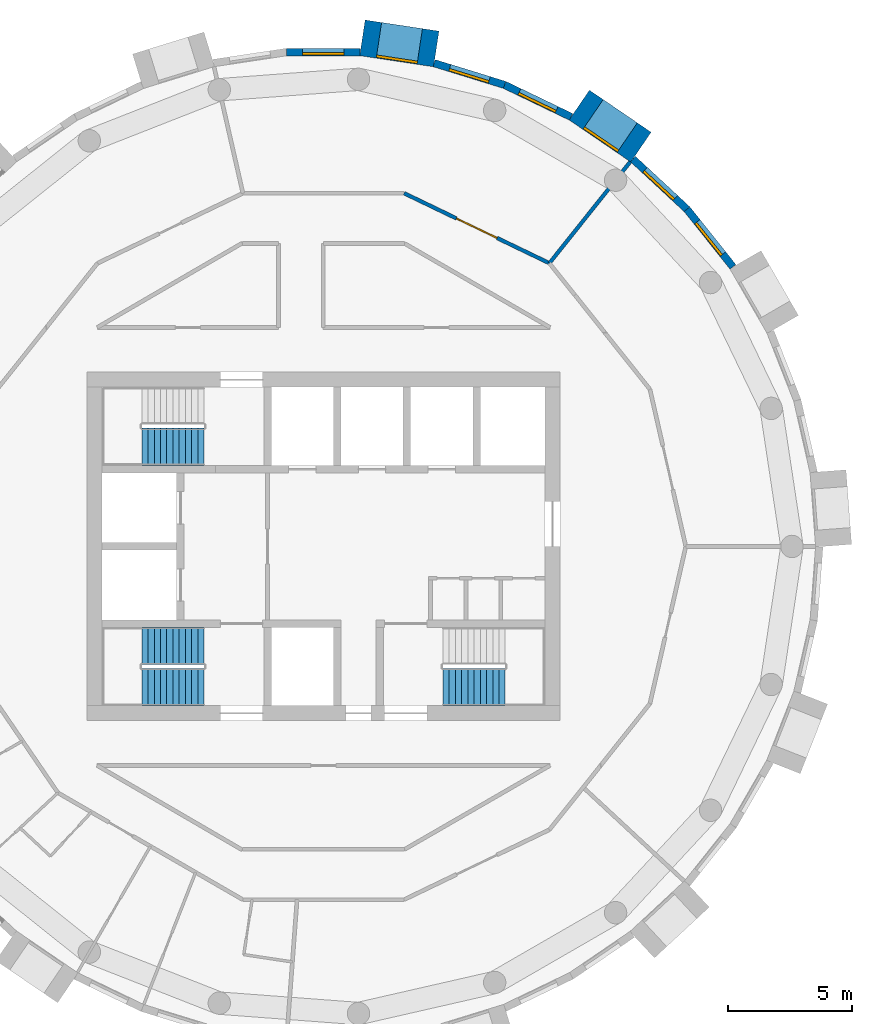
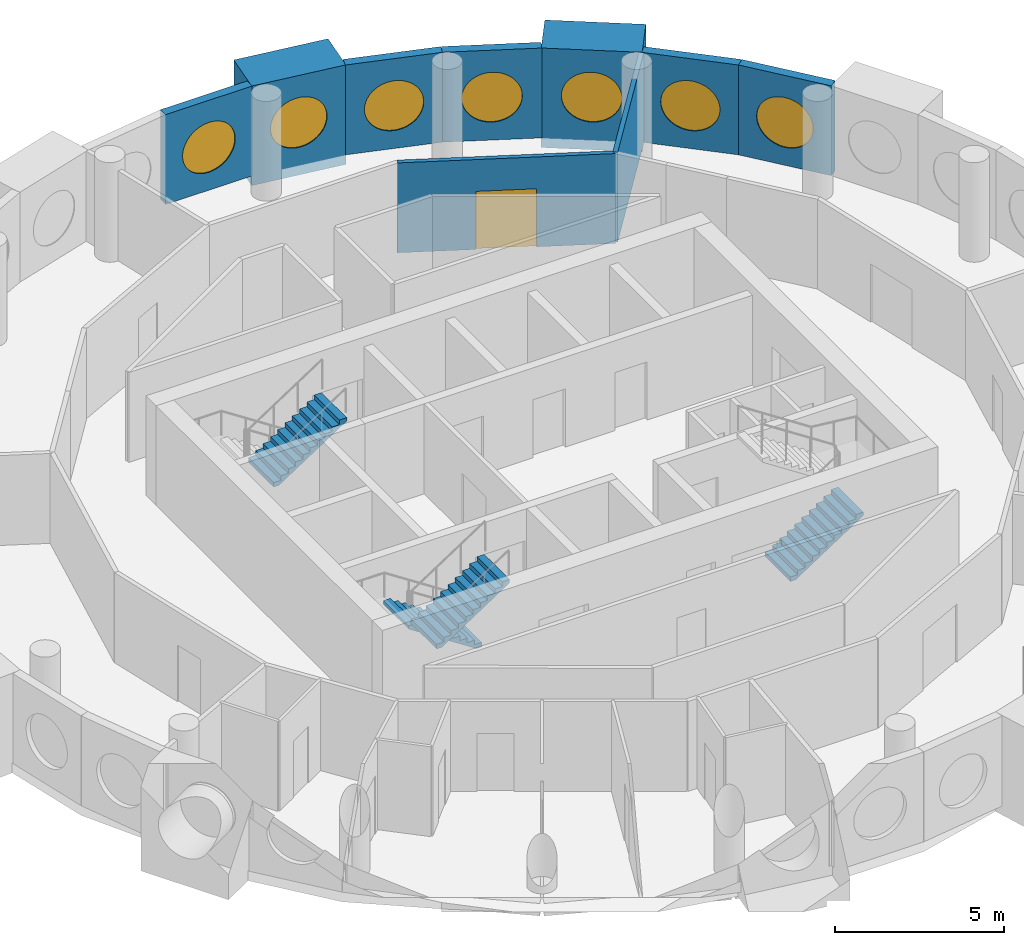
# One storey, part 10 of 12: 9 walls, 7 windows, 4 stair flights, 1 door, 8 openings, 3 elements without a shape of their own.
"""IFC4 building model written with IfcOpenShell, lengths in metres."""

from ifc_helpers import new_model, si_unit, direction, frame, frame_2d, origin, origin_2d, place, context, subcontext, project, spatial, polyline, rectangle, circle, outline, extrude, material, layer, layer_set, type_object, element, fill, aggregate, save


model = new_model("IFC4")

# Units and contexts
model_context = context("Model", 3, precision=1e-05, world=origin(), true_north=direction((0.0, 1.0)))
body_context = subcontext(model_context, "Body", "Model", "MODEL_VIEW")
ifc_project = project(units=[si_unit("LENGTHUNIT", "METRE"), si_unit("AREAUNIT", "SQUARE_METRE"), si_unit("VOLUMEUNIT", "CUBIC_METRE"), si_unit("PLANEANGLEUNIT", "RADIAN"), si_unit("MASSUNIT", "GRAM", prefix="KILO")], contexts=[model_context])

# Site, building, storey
site_placement = place(None, origin())
site = spatial("IfcSite", under=ifc_project, at=site_placement, CompositionType="ELEMENT")
building_placement = place(site_placement, origin())
building = spatial("IfcBuilding", under=site, at=building_placement, Name="Tracery Tower", CompositionType="ELEMENT")
storey_placement = place(building_placement, frame((0.0, 0.0, 323.39990234375)))
storey = spatial("IfcBuildingStorey", under=building, at=storey_placement, Name="L84", CompositionType="ELEMENT", Elevation=323.39990234375)

# Wall, opening, window
ifc_material_1 = material(Name="Precast concrete C50/60", Category="concrete")
ifc_layer_1 = layer(ifc_material_1, 1.449951171875)
ifc_layer_set_1 = layer_set([ifc_layer_1], Name="Deep-set bay unit 3000 x 3600, slab edge 350")
wall_type_1 = type_object("IfcWallType", Name="Deep-set bay unit 3000 x 3600, slab edge 350", PredefinedType="ELEMENTEDWALL", material=ifc_layer_set_1)
wall_1_placement = place(storey_placement, frame((12.754150390625, 16.044189453125, -0.349853515625), z_axis=(0.0, 0.0, 1.0), x_axis=(-0.826246281157, 0.563309047392, 0.0)))
wall_1 = element("IfcWall", 1, at=wall_1_placement, inside=storey, type_object=wall_type_1, Name="Deep-set bay unit 7 at L84", PredefinedType="ELEMENTEDWALL", context=body_context, shape_type="SweptSolid", body=[
    extrude(rectangle(XDim=3.0, YDim=1.449951171875, at=frame_2d((1.5, 0.0))), origin(), (0.0, 0.0, 1.0), 3.599853515625),
])
opening_1_placement = place(wall_1_placement, frame((1.5, 0.0, 1.89990234375)))
opening_1 = element("IfcOpeningElement", 2, at=opening_1_placement, cuts=wall_1, Name="Opening WN1", PredefinedType="OPENING", context=body_context, shape_type="SweptSolid", body=[
    extrude(circle(Radius=0.9000244140625, at=origin_2d()), frame((0.0, 0.73486328125, 0.0), z_axis=(0.0, -1.0, 0.0), x_axis=(1.0, 0.0, 0.0)), (0.0, 0.0, 1.0), 1.469970703125),
])
ifc_material_2 = material(Name="Aluminium frame with tinted double glazing", Category="aluminium")
window_type = type_object("IfcWindowType", Name="Round window 1800", PartitioningType="SINGLE_PANEL", PredefinedType="WINDOW", material=ifc_material_2)
window_1_placement = place(opening_1_placement, origin())
window_1 = element("IfcWindow", 3, at=window_1_placement, inside=storey, type_object=window_type, Name="Round window 7 at L84", OverallHeight=1.800048828125, OverallWidth=1.800048828125, PartitioningType="SINGLE_PANEL", PredefinedType="WINDOW", context=body_context, shape_type="SweptSolid", body=[
    extrude(circle(Radius=0.9000244140625, at=origin_2d()), frame((0.0, 0.69482421875, 0.0), z_axis=(0.0, -1.0, 0.0), x_axis=(1.0, 0.0, 0.0)), (0.0, 0.0, 1.0), 0.10009765625),
])
fill(opening_1, window_1)

wall_2_placement = place(storey_placement, frame((4.52978515625, 19.9892578125, -0.349853515625), z_axis=(0.0, 0.0, 1.0), x_axis=(-0.988836445254, 0.149004981587, 0.0)))
wall_2 = element("IfcWall", 4, at=wall_2_placement, inside=storey, type_object=wall_type_1, Name="Deep-set bay unit 10 at L84", PredefinedType="ELEMENTEDWALL", context=body_context, shape_type="SweptSolid", body=[
    extrude(rectangle(XDim=3.0, YDim=1.449951171875, at=frame_2d((1.5, 0.0))), origin(), (0.0, 0.0, 1.0), 3.599853515625),
])
opening_2_placement = place(wall_2_placement, frame((1.5, 0.0, 1.89990234375)))
opening_2 = element("IfcOpeningElement", 5, at=opening_2_placement, cuts=wall_2, Name="Opening WN1", PredefinedType="OPENING", context=body_context, shape_type="SweptSolid", body=[
    extrude(circle(Radius=0.9000244140625, at=origin_2d()), frame((0.0, 0.73486328125, 0.0), z_axis=(0.0, -1.0, 0.0), x_axis=(1.0, 0.0, 0.0)), (0.0, 0.0, 1.0), 1.469970703125),
])
window_2_placement = place(opening_2_placement, origin())
window_2 = element("IfcWindow", 6, at=window_2_placement, inside=storey, type_object=window_type, Name="Round window 10 at L84", OverallHeight=1.800048828125, OverallWidth=1.800048828125, PartitioningType="SINGLE_PANEL", PredefinedType="WINDOW", context=body_context, shape_type="SweptSolid", body=[
    extrude(circle(Radius=0.9000244140625, at=origin_2d()), frame((0.0, 0.69482421875, 0.0), z_axis=(0.0, -1.0, 0.0), x_axis=(1.0, 0.0, 0.0)), (0.0, 0.0, 1.0), 0.10009765625),
])
fill(opening_2, window_2)

ifc_material_3 = material(Name="Precast concrete C50/60", Category="concrete")
ifc_layer_2 = layer(ifc_material_3, 0.300048828125)
ifc_layer_set_2 = layer_set([ifc_layer_2], Name="Facade panel 3000 x 3250")
wall_type_2 = type_object("IfcWallType", Name="Facade panel 3000 x 3250", PredefinedType="SOLIDWALL", material=ifc_layer_set_2)
wall_3_placement = place(storey_placement, frame((16.45068359375, 11.234375, 0.0), z_axis=(0.0, 0.0, 1.0), x_axis=(-0.623498236992, 0.781824755599, 0.0)))
wall_3 = element("IfcWall", 7, at=wall_3_placement, inside=storey, type_object=wall_type_2, Name="Facade panel 5 at L84", PredefinedType="SOLIDWALL", context=body_context, shape_type="SweptSolid", body=[
    extrude(rectangle(XDim=2.962158203125, YDim=0.300048828125, at=frame_2d((1.48095703125, 0.0))), origin(), (0.0, 0.0, 1.0), 3.25),
])
opening_3_placement = place(wall_3_placement, frame((1.48095703125, 0.0, 1.5498046875)))
opening_3 = element("IfcOpeningElement", 8, at=opening_3_placement, cuts=wall_3, Name="Opening WN1", PredefinedType="OPENING", context=body_context, shape_type="SweptSolid", body=[
    extrude(circle(Radius=0.9000244140625, at=origin_2d()), frame((0.0, 0.159912109375, 0.0), z_axis=(0.0, -1.0, 0.0), x_axis=(1.0, 0.0, 0.0)), (0.0, 0.0, 1.0), 0.320068359375),
])
window_3_placement = place(opening_3_placement, origin())
window_3 = element("IfcWindow", 9, at=window_3_placement, inside=storey, type_object=window_type, Name="Round window 5 at L84", OverallHeight=1.800048828125, OverallWidth=1.800048828125, PartitioningType="SINGLE_PANEL", PredefinedType="WINDOW", context=body_context, shape_type="SweptSolid", body=[
    extrude(circle(Radius=0.9000244140625, at=origin_2d()), frame((0.0, 0.1201171875, 0.0), z_axis=(0.0, -1.0, 0.0), x_axis=(1.0, 0.0, 0.0)), (0.0, 0.0, 1.0), 0.10009765625),
])
fill(opening_3, window_3)

wall_4_placement = place(storey_placement, frame((14.603759765625, 13.55029296875, 0.0), z_axis=(0.0, 0.0, 1.0), x_axis=(-0.733066412643, 0.680157066165, 0.0)))
wall_4 = element("IfcWall", 10, at=wall_4_placement, inside=storey, type_object=wall_type_2, Name="Facade panel 6 at L84", PredefinedType="SOLIDWALL", context=body_context, shape_type="SweptSolid", body=[
    extrude(rectangle(XDim=2.96240234375, YDim=0.300048828125, at=frame_2d((1.481201171875, 0.0))), origin(), (0.0, 0.0, 1.0), 3.25),
])
opening_4_placement = place(wall_4_placement, frame((1.48095703125, 0.0, 1.5498046875)))
opening_4 = element("IfcOpeningElement", 11, at=opening_4_placement, cuts=wall_4, Name="Opening WN1", PredefinedType="OPENING", context=body_context, shape_type="SweptSolid", body=[
    extrude(circle(Radius=0.9000244140625, at=origin_2d()), frame((0.0, 0.159912109375, 0.0), z_axis=(0.0, -1.0, 0.0), x_axis=(1.0, 0.0, 0.0)), (0.0, 0.0, 1.0), 0.320068359375),
])
window_4_placement = place(opening_4_placement, origin())
window_4 = element("IfcWindow", 12, at=window_4_placement, inside=storey, type_object=window_type, Name="Round window 6 at L84", OverallHeight=1.800048828125, OverallWidth=1.800048828125, PartitioningType="SINGLE_PANEL", PredefinedType="WINDOW", context=body_context, shape_type="SweptSolid", body=[
    extrude(circle(Radius=0.9000244140625, at=origin_2d()), frame((0.0, 0.1201171875, 0.0), z_axis=(0.0, -1.0, 0.0), x_axis=(1.0, 0.0, 0.0)), (0.0, 0.0, 1.0), 0.10009765625),
])
fill(opening_4, window_4)

wall_5_placement = place(storey_placement, frame((9.947021484375, 17.25927734375, 0.0), z_axis=(0.0, 0.0, 1.0), x_axis=(-0.900939615635, 0.433944476838, 0.0)))
wall_5 = element("IfcWall", 13, at=wall_5_placement, inside=storey, type_object=wall_type_2, Name="Facade panel 8 at L84", PredefinedType="SOLIDWALL", context=body_context, shape_type="SweptSolid", body=[
    extrude(rectangle(XDim=2.962158203125, YDim=0.300048828125, at=frame_2d((1.48095703125, 0.0))), origin(), (0.0, 0.0, 1.0), 3.25),
])
opening_5_placement = place(wall_5_placement, frame((1.48095703125, 0.0, 1.5498046875)))
opening_5 = element("IfcOpeningElement", 14, at=opening_5_placement, cuts=wall_5, Name="Opening WN1", PredefinedType="OPENING", context=body_context, shape_type="SweptSolid", body=[
    extrude(circle(Radius=0.9000244140625, at=origin_2d()), frame((0.0, 0.159912109375, 0.0), z_axis=(0.0, -1.0, 0.0), x_axis=(1.0, 0.0, 0.0)), (0.0, 0.0, 1.0), 0.320068359375),
])
window_5_placement = place(opening_5_placement, origin())
window_5 = element("IfcWindow", 15, at=window_5_placement, inside=storey, type_object=window_type, Name="Round window 8 at L84", OverallHeight=1.800048828125, OverallWidth=1.800048828125, PartitioningType="SINGLE_PANEL", PredefinedType="WINDOW", context=body_context, shape_type="SweptSolid", body=[
    extrude(circle(Radius=0.9000244140625, at=origin_2d()), frame((0.0, 0.1201171875, 0.0), z_axis=(0.0, -1.0, 0.0), x_axis=(1.0, 0.0, 0.0)), (0.0, 0.0, 1.0), 0.10009765625),
])
fill(opening_5, window_5)

wall_6_placement = place(storey_placement, frame((7.2783203125, 18.544677734375, 0.0), z_axis=(0.0, 0.0, 1.0), x_axis=(-0.95558635705, 0.294711238707, 0.0)))
wall_6 = element("IfcWall", 16, at=wall_6_placement, inside=storey, type_object=wall_type_2, Name="Facade panel 9 at L84", PredefinedType="SOLIDWALL", context=body_context, shape_type="SweptSolid", body=[
    extrude(rectangle(XDim=2.96240234375, YDim=0.300048828125, at=frame_2d((1.481201171875, 0.0))), origin(), (0.0, 0.0, 1.0), 3.25),
])
opening_6_placement = place(wall_6_placement, frame((1.48095703125, 0.0, 1.5498046875)))
opening_6 = element("IfcOpeningElement", 17, at=opening_6_placement, cuts=wall_6, Name="Opening WN1", PredefinedType="OPENING", context=body_context, shape_type="SweptSolid", body=[
    extrude(circle(Radius=0.9000244140625, at=origin_2d()), frame((0.0, 0.159912109375, 0.0), z_axis=(0.0, -1.0, 0.0), x_axis=(1.0, 0.0, 0.0)), (0.0, 0.0, 1.0), 0.320068359375),
])
window_6_placement = place(opening_6_placement, origin())
window_6 = element("IfcWindow", 18, at=window_6_placement, inside=storey, type_object=window_type, Name="Round window 9 at L84", OverallHeight=1.800048828125, OverallWidth=1.800048828125, PartitioningType="SINGLE_PANEL", PredefinedType="WINDOW", context=body_context, shape_type="SweptSolid", body=[
    extrude(circle(Radius=0.9000244140625, at=origin_2d()), frame((0.0, 0.1201171875, 0.0), z_axis=(0.0, -1.0, 0.0), x_axis=(1.0, 0.0, 0.0)), (0.0, 0.0, 1.0), 0.10009765625),
])
fill(opening_6, window_6)

wall_7_placement = place(storey_placement, frame((1.473388671875, 19.865966796875, 0.0), z_axis=(0.0, 0.0, 1.0), x_axis=(-1.0, 0.0, 0.0)))
wall_7 = element("IfcWall", 19, at=wall_7_placement, inside=storey, type_object=wall_type_2, Name="Facade panel 11 at L84", PredefinedType="SOLIDWALL", context=body_context, shape_type="SweptSolid", body=[
    extrude(rectangle(XDim=2.962158203125, YDim=0.300048828125, at=frame_2d((1.48095703125, 0.0))), origin(), (0.0, 0.0, 1.0), 3.25),
])
opening_7_placement = place(wall_7_placement, frame((1.48095703125, 0.0, 1.5498046875)))
opening_7 = element("IfcOpeningElement", 20, at=opening_7_placement, cuts=wall_7, Name="Opening WN1", PredefinedType="OPENING", context=body_context, shape_type="SweptSolid", body=[
    extrude(circle(Radius=0.9000244140625, at=origin_2d()), frame((0.0, 0.159912109375, 0.0), z_axis=(0.0, -1.0, 0.0), x_axis=(1.0, 0.0, 0.0)), (0.0, 0.0, 1.0), 0.320068359375),
])
window_7_placement = place(opening_7_placement, origin())
window_7 = element("IfcWindow", 21, at=window_7_placement, inside=storey, type_object=window_type, Name="Round window 11 at L84", OverallHeight=1.800048828125, OverallWidth=1.800048828125, PartitioningType="SINGLE_PANEL", PredefinedType="WINDOW", context=body_context, shape_type="SweptSolid", body=[
    extrude(circle(Radius=0.9000244140625, at=origin_2d()), frame((0.0, 0.1201171875, 0.0), z_axis=(0.0, -1.0, 0.0), x_axis=(1.0, 0.0, 0.0)), (0.0, 0.0, 1.0), 0.10009765625),
])
fill(opening_7, window_7)

# Wall
ifc_material_4 = material(Name="Plasterboard on steel studs", Category="steel")
ifc_layer_3 = layer(ifc_material_4, 0.14990234375)
ifc_layer_set_3 = layer_set([ifc_layer_3], Name="Partition 150 acoustic unit wall")
wall_type_3 = type_object("IfcWallType", Name="Partition 150 acoustic unit wall", PredefinedType="PARTITIONING", material=ifc_layer_set_3)
wall_8_placement = place(storey_placement, frame((9.075927734375, 11.381103515625, 0.0), z_axis=(0.0, 0.0, 1.0), x_axis=(0.623460949534, 0.781854490558, 0.0)))
element("IfcWall", 22, at=wall_8_placement, inside=storey, type_object=wall_type_3, Name="Unit wall RC10-039", PredefinedType="PARTITIONING", context=body_context, shape_type="SweptSolid", body=[
    extrude(rectangle(XDim=5.21435546875, YDim=0.14990234375, at=frame_2d((2.607177734375, 0.0))), origin(), (0.0, 0.0, 1.0), 3.25),
])

# Wall, opening, door
ifc_material_5 = material(Name="Plasterboard on steel studs", Category="steel")
ifc_layer_4 = layer(ifc_material_5, 0.14990234375)
ifc_layer_set_4 = layer_set([ifc_layer_4], Name="Partition 150 corridor wall")
wall_type_4 = type_object("IfcWallType", Name="Partition 150 corridor wall", PredefinedType="PARTITIONING", material=ifc_layer_set_4)
wall_9_placement = place(storey_placement, frame((3.239013671875, 14.19189453125, 0.0), z_axis=(0.0, 0.0, 1.0), x_axis=(0.900976027191, -0.433868872388, 0.0)))
wall_9 = element("IfcWall", 23, at=wall_9_placement, inside=storey, type_object=wall_type_4, Name="Corridor wall RC10-027", PredefinedType="PARTITIONING", context=body_context, shape_type="SweptSolid", body=[
    extrude(rectangle(XDim=6.478515625, YDim=0.14990234375, at=frame_2d((3.2392578125, 0.0))), origin(), (0.0, 0.0, 1.0), 3.25),
])
opening_8_placement = place(wall_9_placement, frame((2.339111328125, 0.0, 0.0)))
opening_8 = element("IfcOpeningElement", 24, at=opening_8_placement, cuts=wall_9, Name="Opening RC10-05", PredefinedType="OPENING", context=body_context, shape_type="SweptSolid", body=[
    extrude(rectangle(XDim=1.800048828125, YDim=2.10009765625, at=frame_2d((0.89990234375, 1.050048828125))), frame((0.0, 0.074951171875, 0.0), z_axis=(0.0, -1.0, 0.0), x_axis=(1.0, 0.0, 0.0)), (0.0, 0.0, 1.0), 0.14990234375),
])
ifc_material_6 = material(Name="Timber door leaf", Category="wood")
door_type = type_object("IfcDoorType", Name="Door double lounge 1800", OperationType="NOTDEFINED", PredefinedType="DOOR", material=ifc_material_6)
door_placement = place(opening_8_placement, origin())
door = element("IfcDoor", 25, at=door_placement, inside=storey, type_object=door_type, Name="Double lounge door RC10-05", OperationType="DOUBLE_DOOR_SINGLE_SWING", OverallHeight=2.10009765625, OverallWidth=1.800048828125, PredefinedType="DOOR", context=body_context, shape_type="SweptSolid", body=[
    extrude(rectangle(XDim=1.800048828125, YDim=2.10009765625, at=frame_2d((0.89990234375, 1.050048828125))), frame((0.0, 0.02490234375, 0.0), z_axis=(0.0, -1.0, 0.0), x_axis=(1.0, 0.0, 0.0)), (0.0, 0.0, 1.0), 0.050048828125),
])
fill(opening_8, door)

# Stair, stair flights
ifc_material_7 = material(Name="Concrete C32/40", Category="concrete")
stair_type = type_object("IfcStairType", Name="Core stair 22 risers", PredefinedType="HALF_TURN_STAIR", material=ifc_material_7)
stair_1_placement = place(storey_placement, origin())
stair_1 = element("IfcStair", 26, at=stair_1_placement, inside=storey, type_object=stair_type, Name="L84 stair ST1", PredefinedType="HALF_TURN_STAIR")
ifc_material_8 = material(Name="Concrete C32/40", Category="concrete")
stair_flight_type = type_object("IfcStairFlightType", Name="Core stair flight 11 risers", PredefinedType="STRAIGHT", material=ifc_material_8)
stair_flight_1_placement = place(storey_placement, frame((-4.800048828125, -4.0, 0.0), z_axis=(0.0, 0.0, 1.0), x_axis=(-1.0, 0.0, 0.0)))
stair_flight_1 = element("IfcStairFlight", 27, at=stair_flight_1_placement, type_object=stair_flight_type, Name="ST1 flight 1", NumberOfRisers=11, NumberOfTreads=10, PredefinedType="STRAIGHT", RiserHeight=0.163636364, TreadLength=0.25, context=body_context, shape_type="SweptSolid", body=[
    extrude(outline(polyline([(0.0, 0.0), (0.0, 0.002685546875), (0.0, 0.00537109375), (0.0, 0.008056640625), (0.0, 0.0107421875), (0.0, 0.013427734375), (0.0, 0.01611328125), (0.0, 0.018798828125), (0.0, 0.021484375), (0.0, 0.024169921875), (0.0, 0.02685546875), (0.0, 0.029541015625), (0.0, 0.0322265625), (0.0, 0.034912109375), (0.0, 0.03759765625), (0.0, 0.040283203125), (0.0, 0.04296875), (0.0, 0.045654296875), (0.0, 0.04833984375), (0.0, 0.051025390625), (0.0, 0.0537109375), (0.0, 0.056396484375), (0.0, 0.05908203125), (0.0, 0.061767578125), (0.0, 0.064453125), (0.0, 0.067138671875), (0.0, 0.06982421875), (0.0, 0.072509765625), (0.0, 0.0751953125), (0.0, 0.077880859375), (0.0, 0.08056640625), (0.0, 0.083251953125), (0.0, 0.0859375), (0.0, 0.088623046875), (0.0, 0.09130859375), (0.0, 0.093994140625), (0.0, 0.0966796875), (0.0, 0.099365234375), (0.0, 0.10205078125), (0.0, 0.104736328125), (0.0, 0.107421875), (0.0, 0.10986328125), (0.0, 0.112548828125), (0.0, 0.115234375), (0.0, 0.117919921875), (0.0, 0.12060546875), (0.0, 0.123291015625), (0.0, 0.1259765625), (0.0, 0.128662109375), (0.0, 0.13134765625), (0.0, 0.134033203125), (0.0, 0.13671875), (0.0, 0.139404296875), (0.0, 0.14208984375), (0.0, 0.144775390625), (0.0, 0.1474609375), (0.0, 0.150146484375), (0.0, 0.15283203125), (0.0, 0.155517578125), (0.0, 0.158203125), (0.0, 0.160888671875), (0.0, 0.16357421875), (0.25, 0.16357421875), (0.25, 0.327392578125), (0.5, 0.327392578125), (0.5, 0.490966796875), (0.75, 0.490966796875), (0.75, 0.654541015625), (1.0, 0.654541015625), (1.0, 0.818115234375), (1.25, 0.818115234375), (1.25, 0.98193359375), (1.5, 0.98193359375), (1.5, 1.1455078125), (1.75, 1.1455078125), (1.75, 1.30908203125), (2.0, 1.30908203125), (2.0, 1.47265625), (2.25, 1.47265625), (2.25, 1.636474609375), (2.5, 1.636474609375), (2.5, 1.634521484375), (2.5, 1.63232421875), (2.5, 1.63037109375), (2.5, 1.62841796875), (2.5, 1.62646484375), (2.5, 1.62451171875), (2.5, 1.62255859375), (2.5, 1.62060546875), (2.5, 1.61865234375), (2.5, 1.61669921875), (2.5, 1.61474609375), (2.5, 1.61279296875), (2.5, 1.61083984375), (2.5, 1.60888671875), (2.5, 1.60693359375), (2.5, 1.60498046875), (2.5, 1.60302734375), (2.5, 1.60107421875), (2.5, 1.59912109375), (2.5, 1.59716796875), (2.5, 1.59521484375), (2.5, 1.59326171875), (2.5, 1.59130859375), (2.5, 1.58935546875), (2.5, 1.58740234375), (2.5, 1.58544921875), (2.5, 1.58349609375), (2.5, 1.58154296875), (2.5, 1.57958984375), (2.5, 1.57763671875), (2.5, 1.57568359375), (2.5, 1.573486328125), (2.5, 1.571533203125), (2.5, 1.569580078125), (2.5, 1.567626953125), (2.5, 1.565673828125), (2.5, 1.563720703125), (2.5, 1.561767578125), (2.5, 1.559814453125), (2.5, 1.557861328125), (2.5, 1.555908203125), (2.5, 1.553955078125), (2.5, 1.552001953125), (2.5, 1.550048828125), (2.5, 1.548095703125), (2.5, 1.546142578125), (2.5, 1.544189453125), (2.5, 1.542236328125), (2.5, 1.540283203125), (2.5, 1.538330078125), (2.5, 1.536376953125), (2.5, 1.534423828125), (2.5, 1.532470703125), (2.5, 1.530517578125), (2.5, 1.528564453125), (2.5, 1.526611328125), (2.5, 1.524658203125), (2.5, 1.522705078125), (2.5, 1.520751953125), (2.5, 1.518798828125), (2.5, 1.516845703125), (0.182861328125, 0.0), (0.0, 0.0)])), frame((0.0, 0.75, 0.0), z_axis=(0.0, -1.0, 0.0), x_axis=(1.0, 0.0, 0.0)), (0.0, 0.0, 1.0), 1.5),
])
stair_flight_2_placement = place(storey_placement, frame((-7.300048828125, -5.64990234375, 1.800048828125), z_axis=(0.0, 0.0, 1.0), x_axis=(1.0, 0.0, 0.0)))
stair_flight_2 = element("IfcStairFlight", 28, at=stair_flight_2_placement, type_object=stair_flight_type, Name="ST1 flight 2", NumberOfRisers=11, NumberOfTreads=10, PredefinedType="STRAIGHT", RiserHeight=0.163636364, TreadLength=0.25, context=body_context, shape_type="SweptSolid", body=[
    extrude(outline(polyline([(0.0, 0.0), (0.0, 0.002685546875), (0.0, 0.00537109375), (0.0, 0.008056640625), (0.0, 0.0107421875), (0.0, 0.013427734375), (0.0, 0.01611328125), (0.0, 0.018798828125), (0.0, 0.021484375), (0.0, 0.024169921875), (0.0, 0.02685546875), (0.0, 0.029541015625), (0.0, 0.0322265625), (0.0, 0.034912109375), (0.0, 0.03759765625), (0.0, 0.040283203125), (0.0, 0.04296875), (0.0, 0.045654296875), (0.0, 0.04833984375), (0.0, 0.051025390625), (0.0, 0.0537109375), (0.0, 0.056396484375), (0.0, 0.05908203125), (0.0, 0.061767578125), (0.0, 0.064453125), (0.0, 0.067138671875), (0.0, 0.06982421875), (0.0, 0.072509765625), (0.0, 0.0751953125), (0.0, 0.077880859375), (0.0, 0.08056640625), (0.0, 0.083251953125), (0.0, 0.0859375), (0.0, 0.088623046875), (0.0, 0.09130859375), (0.0, 0.093994140625), (0.0, 0.0966796875), (0.0, 0.099365234375), (0.0, 0.10205078125), (0.0, 0.104736328125), (0.0, 0.107421875), (0.0, 0.10986328125), (0.0, 0.112548828125), (0.0, 0.115234375), (0.0, 0.117919921875), (0.0, 0.12060546875), (0.0, 0.123291015625), (0.0, 0.1259765625), (0.0, 0.128662109375), (0.0, 0.13134765625), (0.0, 0.134033203125), (0.0, 0.13671875), (0.0, 0.139404296875), (0.0, 0.14208984375), (0.0, 0.144775390625), (0.0, 0.1474609375), (0.0, 0.150146484375), (0.0, 0.15283203125), (0.0, 0.155517578125), (0.0, 0.158203125), (0.0, 0.160888671875), (0.0, 0.16357421875), (0.25, 0.16357421875), (0.25, 0.327392578125), (0.5, 0.327392578125), (0.5, 0.490966796875), (0.75, 0.490966796875), (0.75, 0.654541015625), (1.0, 0.654541015625), (1.0, 0.818115234375), (1.25, 0.818115234375), (1.25, 0.98193359375), (1.5, 0.98193359375), (1.5, 1.1455078125), (1.75, 1.1455078125), (1.75, 1.30908203125), (2.0, 1.30908203125), (2.0, 1.47265625), (2.25, 1.47265625), (2.25, 1.636474609375), (2.5, 1.636474609375), (2.5, 1.634521484375), (2.5, 1.63232421875), (2.5, 1.63037109375), (2.5, 1.62841796875), (2.5, 1.62646484375), (2.5, 1.62451171875), (2.5, 1.62255859375), (2.5, 1.62060546875), (2.5, 1.61865234375), (2.5, 1.61669921875), (2.5, 1.61474609375), (2.5, 1.61279296875), (2.5, 1.61083984375), (2.5, 1.60888671875), (2.5, 1.60693359375), (2.5, 1.60498046875), (2.5, 1.60302734375), (2.5, 1.60107421875), (2.5, 1.59912109375), (2.5, 1.59716796875), (2.5, 1.59521484375), (2.5, 1.59326171875), (2.5, 1.59130859375), (2.5, 1.58935546875), (2.5, 1.58740234375), (2.5, 1.58544921875), (2.5, 1.58349609375), (2.5, 1.58154296875), (2.5, 1.57958984375), (2.5, 1.57763671875), (2.5, 1.57568359375), (2.5, 1.573486328125), (2.5, 1.571533203125), (2.5, 1.569580078125), (2.5, 1.567626953125), (2.5, 1.565673828125), (2.5, 1.563720703125), (2.5, 1.561767578125), (2.5, 1.559814453125), (2.5, 1.557861328125), (2.5, 1.555908203125), (2.5, 1.553955078125), (2.5, 1.552001953125), (2.5, 1.550048828125), (2.5, 1.548095703125), (2.5, 1.546142578125), (2.5, 1.544189453125), (2.5, 1.542236328125), (2.5, 1.540283203125), (2.5, 1.538330078125), (2.5, 1.536376953125), (2.5, 1.534423828125), (2.5, 1.532470703125), (2.5, 1.530517578125), (2.5, 1.528564453125), (2.5, 1.526611328125), (2.5, 1.524658203125), (2.5, 1.522705078125), (2.5, 1.520751953125), (2.5, 1.518798828125), (2.5, 1.516845703125), (0.182861328125, 0.0), (0.0, 0.0)])), frame((0.0, 0.75, 0.0), z_axis=(0.0, -1.0, 0.0), x_axis=(1.0, 0.0, 0.0)), (0.0, 0.0, 1.0), 1.5),
])
aggregate(stair_1, [stair_flight_1, stair_flight_2])

# Stair, stair flight
stair_2_placement = place(storey_placement, origin())
stair_2 = element("IfcStair", 29, at=stair_2_placement, inside=storey, type_object=stair_type, Name="L84 stair ST3", PredefinedType="HALF_TURN_STAIR")
stair_flight_3_placement = place(storey_placement, frame((-7.300048828125, 4.0, 1.800048828125), z_axis=(0.0, 0.0, 1.0), x_axis=(1.0, 0.0, 0.0)))
stair_flight_3 = element("IfcStairFlight", 30, at=stair_flight_3_placement, type_object=stair_flight_type, Name="ST3 flight 2", NumberOfRisers=11, NumberOfTreads=10, PredefinedType="STRAIGHT", RiserHeight=0.163636364, TreadLength=0.25, context=body_context, shape_type="SweptSolid", body=[
    extrude(outline(polyline([(0.0, 0.0), (0.0, 0.002685546875), (0.0, 0.00537109375), (0.0, 0.008056640625), (0.0, 0.0107421875), (0.0, 0.013427734375), (0.0, 0.01611328125), (0.0, 0.018798828125), (0.0, 0.021484375), (0.0, 0.024169921875), (0.0, 0.02685546875), (0.0, 0.029541015625), (0.0, 0.0322265625), (0.0, 0.034912109375), (0.0, 0.03759765625), (0.0, 0.040283203125), (0.0, 0.04296875), (0.0, 0.045654296875), (0.0, 0.04833984375), (0.0, 0.051025390625), (0.0, 0.0537109375), (0.0, 0.056396484375), (0.0, 0.05908203125), (0.0, 0.061767578125), (0.0, 0.064453125), (0.0, 0.067138671875), (0.0, 0.06982421875), (0.0, 0.072509765625), (0.0, 0.0751953125), (0.0, 0.077880859375), (0.0, 0.08056640625), (0.0, 0.083251953125), (0.0, 0.0859375), (0.0, 0.088623046875), (0.0, 0.09130859375), (0.0, 0.093994140625), (0.0, 0.0966796875), (0.0, 0.099365234375), (0.0, 0.10205078125), (0.0, 0.104736328125), (0.0, 0.107421875), (0.0, 0.10986328125), (0.0, 0.112548828125), (0.0, 0.115234375), (0.0, 0.117919921875), (0.0, 0.12060546875), (0.0, 0.123291015625), (0.0, 0.1259765625), (0.0, 0.128662109375), (0.0, 0.13134765625), (0.0, 0.134033203125), (0.0, 0.13671875), (0.0, 0.139404296875), (0.0, 0.14208984375), (0.0, 0.144775390625), (0.0, 0.1474609375), (0.0, 0.150146484375), (0.0, 0.15283203125), (0.0, 0.155517578125), (0.0, 0.158203125), (0.0, 0.160888671875), (0.0, 0.16357421875), (0.25, 0.16357421875), (0.25, 0.327392578125), (0.5, 0.327392578125), (0.5, 0.490966796875), (0.75, 0.490966796875), (0.75, 0.654541015625), (1.0, 0.654541015625), (1.0, 0.818115234375), (1.25, 0.818115234375), (1.25, 0.98193359375), (1.5, 0.98193359375), (1.5, 1.1455078125), (1.75, 1.1455078125), (1.75, 1.30908203125), (2.0, 1.30908203125), (2.0, 1.47265625), (2.25, 1.47265625), (2.25, 1.636474609375), (2.5, 1.636474609375), (2.5, 1.634521484375), (2.5, 1.63232421875), (2.5, 1.63037109375), (2.5, 1.62841796875), (2.5, 1.62646484375), (2.5, 1.62451171875), (2.5, 1.62255859375), (2.5, 1.62060546875), (2.5, 1.61865234375), (2.5, 1.61669921875), (2.5, 1.61474609375), (2.5, 1.61279296875), (2.5, 1.61083984375), (2.5, 1.60888671875), (2.5, 1.60693359375), (2.5, 1.60498046875), (2.5, 1.60302734375), (2.5, 1.60107421875), (2.5, 1.59912109375), (2.5, 1.59716796875), (2.5, 1.59521484375), (2.5, 1.59326171875), (2.5, 1.59130859375), (2.5, 1.58935546875), (2.5, 1.58740234375), (2.5, 1.58544921875), (2.5, 1.58349609375), (2.5, 1.58154296875), (2.5, 1.57958984375), (2.5, 1.57763671875), (2.5, 1.57568359375), (2.5, 1.573486328125), (2.5, 1.571533203125), (2.5, 1.569580078125), (2.5, 1.567626953125), (2.5, 1.565673828125), (2.5, 1.563720703125), (2.5, 1.561767578125), (2.5, 1.559814453125), (2.5, 1.557861328125), (2.5, 1.555908203125), (2.5, 1.553955078125), (2.5, 1.552001953125), (2.5, 1.550048828125), (2.5, 1.548095703125), (2.5, 1.546142578125), (2.5, 1.544189453125), (2.5, 1.542236328125), (2.5, 1.540283203125), (2.5, 1.538330078125), (2.5, 1.536376953125), (2.5, 1.534423828125), (2.5, 1.532470703125), (2.5, 1.530517578125), (2.5, 1.528564453125), (2.5, 1.526611328125), (2.5, 1.524658203125), (2.5, 1.522705078125), (2.5, 1.520751953125), (2.5, 1.518798828125), (2.5, 1.516845703125), (0.182861328125, 0.0), (0.0, 0.0)])), frame((0.0, 0.75, 0.0), z_axis=(0.0, -1.0, 0.0), x_axis=(1.0, 0.0, 0.0)), (0.0, 0.0, 1.0), 1.5),
])
aggregate(stair_2, [stair_flight_3])

stair_3_placement = place(storey_placement, origin())
stair_3 = element("IfcStair", 31, at=stair_3_placement, inside=storey, type_object=stair_type, Name="L84 stair ST2", PredefinedType="HALF_TURN_STAIR")
stair_flight_4_placement = place(storey_placement, frame((4.800048828125, -5.64990234375, 0.0), z_axis=(0.0, 0.0, 1.0), x_axis=(1.0, 0.0, 0.0)))
stair_flight_4 = element("IfcStairFlight", 32, at=stair_flight_4_placement, type_object=stair_flight_type, Name="ST2 flight 1", NumberOfRisers=11, NumberOfTreads=10, PredefinedType="STRAIGHT", RiserHeight=0.163636364, TreadLength=0.25, context=body_context, shape_type="SweptSolid", body=[
    extrude(outline(polyline([(0.0, 0.0), (0.0, 0.002685546875), (0.0, 0.00537109375), (0.0, 0.008056640625), (0.0, 0.0107421875), (0.0, 0.013427734375), (0.0, 0.01611328125), (0.0, 0.018798828125), (0.0, 0.021484375), (0.0, 0.024169921875), (0.0, 0.02685546875), (0.0, 0.029541015625), (0.0, 0.0322265625), (0.0, 0.034912109375), (0.0, 0.03759765625), (0.0, 0.040283203125), (0.0, 0.04296875), (0.0, 0.045654296875), (0.0, 0.04833984375), (0.0, 0.051025390625), (0.0, 0.0537109375), (0.0, 0.056396484375), (0.0, 0.05908203125), (0.0, 0.061767578125), (0.0, 0.064453125), (0.0, 0.067138671875), (0.0, 0.06982421875), (0.0, 0.072509765625), (0.0, 0.0751953125), (0.0, 0.077880859375), (0.0, 0.08056640625), (0.0, 0.083251953125), (0.0, 0.0859375), (0.0, 0.088623046875), (0.0, 0.09130859375), (0.0, 0.093994140625), (0.0, 0.0966796875), (0.0, 0.099365234375), (0.0, 0.10205078125), (0.0, 0.104736328125), (0.0, 0.107421875), (0.0, 0.10986328125), (0.0, 0.112548828125), (0.0, 0.115234375), (0.0, 0.117919921875), (0.0, 0.12060546875), (0.0, 0.123291015625), (0.0, 0.1259765625), (0.0, 0.128662109375), (0.0, 0.13134765625), (0.0, 0.134033203125), (0.0, 0.13671875), (0.0, 0.139404296875), (0.0, 0.14208984375), (0.0, 0.144775390625), (0.0, 0.1474609375), (0.0, 0.150146484375), (0.0, 0.15283203125), (0.0, 0.155517578125), (0.0, 0.158203125), (0.0, 0.160888671875), (0.0, 0.16357421875), (0.25, 0.16357421875), (0.25, 0.327392578125), (0.5, 0.327392578125), (0.5, 0.490966796875), (0.75, 0.490966796875), (0.75, 0.654541015625), (1.0, 0.654541015625), (1.0, 0.818115234375), (1.25, 0.818115234375), (1.25, 0.98193359375), (1.5, 0.98193359375), (1.5, 1.1455078125), (1.75, 1.1455078125), (1.75, 1.30908203125), (2.0, 1.30908203125), (2.0, 1.47265625), (2.25, 1.47265625), (2.25, 1.636474609375), (2.5, 1.636474609375), (2.5, 1.634521484375), (2.5, 1.63232421875), (2.5, 1.63037109375), (2.5, 1.62841796875), (2.5, 1.62646484375), (2.5, 1.62451171875), (2.5, 1.62255859375), (2.5, 1.62060546875), (2.5, 1.61865234375), (2.5, 1.61669921875), (2.5, 1.61474609375), (2.5, 1.61279296875), (2.5, 1.61083984375), (2.5, 1.60888671875), (2.5, 1.60693359375), (2.5, 1.60498046875), (2.5, 1.60302734375), (2.5, 1.60107421875), (2.5, 1.59912109375), (2.5, 1.59716796875), (2.5, 1.59521484375), (2.5, 1.59326171875), (2.5, 1.59130859375), (2.5, 1.58935546875), (2.5, 1.58740234375), (2.5, 1.58544921875), (2.5, 1.58349609375), (2.5, 1.58154296875), (2.5, 1.57958984375), (2.5, 1.57763671875), (2.5, 1.57568359375), (2.5, 1.573486328125), (2.5, 1.571533203125), (2.5, 1.569580078125), (2.5, 1.567626953125), (2.5, 1.565673828125), (2.5, 1.563720703125), (2.5, 1.561767578125), (2.5, 1.559814453125), (2.5, 1.557861328125), (2.5, 1.555908203125), (2.5, 1.553955078125), (2.5, 1.552001953125), (2.5, 1.550048828125), (2.5, 1.548095703125), (2.5, 1.546142578125), (2.5, 1.544189453125), (2.5, 1.542236328125), (2.5, 1.540283203125), (2.5, 1.538330078125), (2.5, 1.536376953125), (2.5, 1.534423828125), (2.5, 1.532470703125), (2.5, 1.530517578125), (2.5, 1.528564453125), (2.5, 1.526611328125), (2.5, 1.524658203125), (2.5, 1.522705078125), (2.5, 1.520751953125), (2.5, 1.518798828125), (2.5, 1.516845703125), (0.182861328125, 0.0), (0.0, 0.0)])), frame((0.0, 0.75, 0.0), z_axis=(0.0, -1.0, 0.0), x_axis=(1.0, 0.0, 0.0)), (0.0, 0.0, 1.0), 1.5),
])
aggregate(stair_3, [stair_flight_4])

save(model, "model.ifc")
